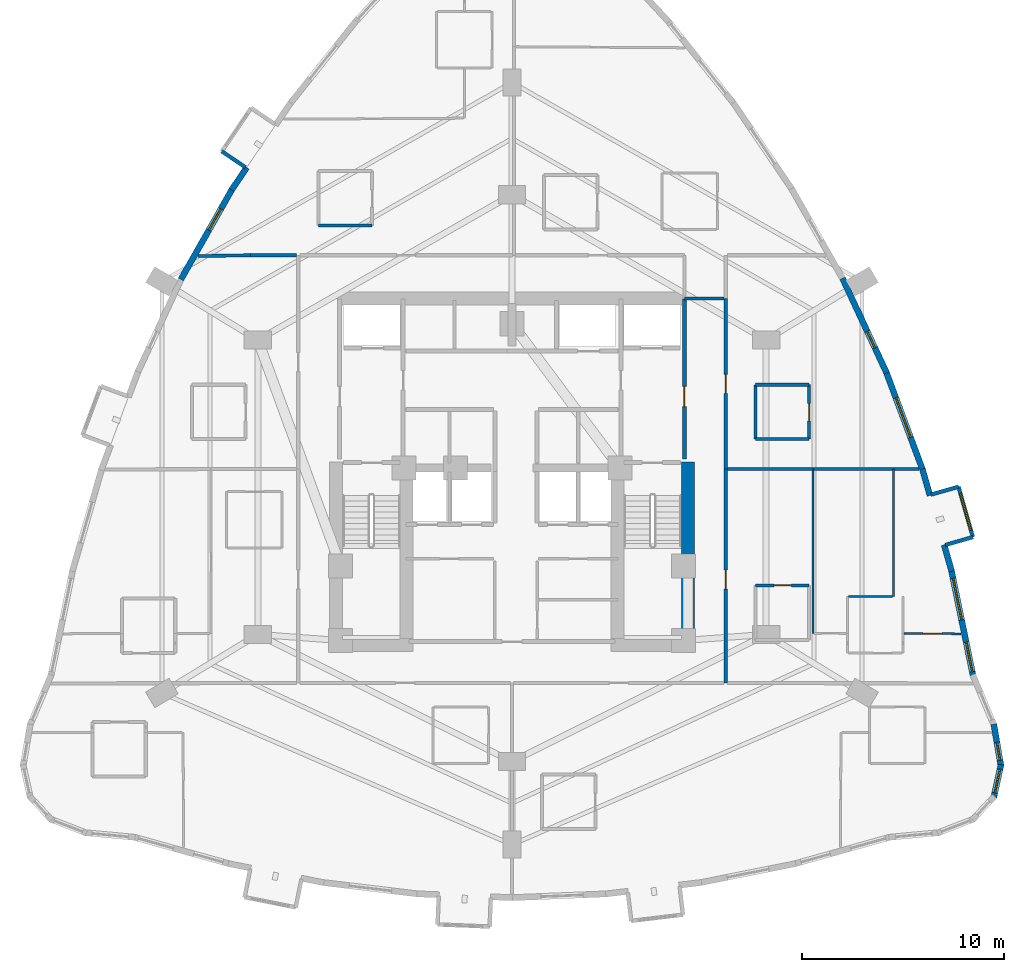
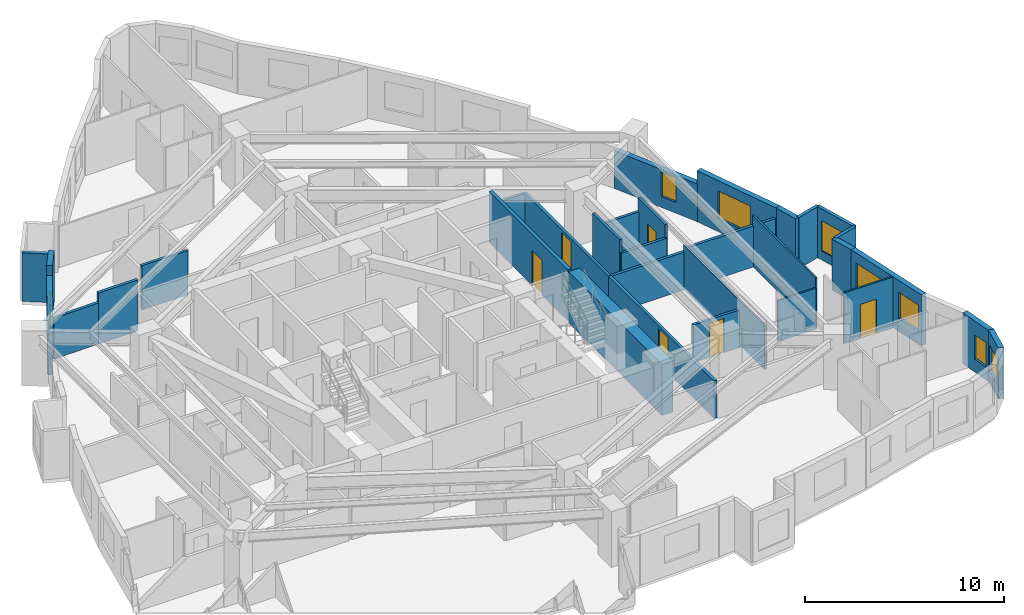
# One storey, part 10 of 13: 32 walls, 8 windows, 6 doors, 14 openings.
"""IFC4 building model written with IfcOpenShell, lengths in metres."""

from ifc_helpers import new_model, si_unit, direction, frame, frame_2d, origin, place, context, subcontext, project, spatial, rectangle, extrude, material, layer, layer_set, type_object, element, fill, save


model = new_model("IFC4")

# Units and contexts
model_context = context("Model", 3, precision=1e-05, world=origin(), true_north=direction((0.0, 1.0)))
body_context = subcontext(model_context, "Body", "Model", "MODEL_VIEW")
ifc_project = project(units=[si_unit("LENGTHUNIT", "METRE"), si_unit("AREAUNIT", "SQUARE_METRE"), si_unit("VOLUMEUNIT", "CUBIC_METRE"), si_unit("PLANEANGLEUNIT", "RADIAN"), si_unit("MASSUNIT", "GRAM", prefix="KILO")], contexts=[model_context])

# Site, building, storey
site_placement = place(None, origin())
site = spatial("IfcSite", under=ifc_project, at=site_placement, CompositionType="ELEMENT")
building_placement = place(site_placement, origin())
building = spatial("IfcBuilding", under=site, at=building_placement, Name="Miruveldt Soraemaru", CompositionType="ELEMENT")
storey_placement = place(building_placement, frame((0.0, 0.0, 76.800048828125)))
storey = spatial("IfcBuildingStorey", under=building, at=storey_placement, Name="L21", CompositionType="ELEMENT", Elevation=76.800048828125)

# Walls
ifc_material_1 = material(Name="White powder-coated aluminium EN AW-6060 T6", Category="aluminium")
ifc_layer_1 = layer(ifc_material_1, 0.18994140625, Name="White powder-coated aluminium EN AW-6060 T6", Category="aluminium")
ifc_layer_set_1 = layer_set([ifc_layer_1], Name="White powder-coated aluminium EN AW-6060 T6")
wall_type_1 = type_object("IfcWallType", Name="WALL-BAY-ALU190", PredefinedType="SOLIDWALL", material=ifc_layer_set_1)
wall_1_placement = place(storey_placement, frame((29.60595703125, 59.754638671875, 0.0), z_axis=(0.0, 0.0, 1.0), x_axis=(0.82794178844, -0.560814046681, 0.0)))
element("IfcWall", 1, at=wall_1_placement, inside=storey, type_object=wall_type_1, Name="L21 Bay Window Side Cheek 1R", PredefinedType="SOLIDWALL", context=body_context, shape_type="SweptSolid", body=[
    extrude(rectangle(XDim=1.4248046875, YDim=0.18994140625, at=frame_2d((0.71240234375, 0.0))), origin(), (0.0, 0.0, 1.0), 2.974853515625),
])
for number, where, z_axis, x_axis, name in (
    (2, (65.483642578125, 40.23486328125, 0.0), (0.0, 0.0, 1.0), (0.961439844578, 0.275015318223, 0.0), "L21 Bay Window Side Cheek 6L"),
    (3, (66.138671875, 43.12646484375, 0.0), (0.0, 0.0, 1.0), (-0.961439844578, -0.275015318223, 0.0), "L21 Bay Window Side Cheek 6R"),
):
    element("IfcWall", number, at=place(storey_placement, frame(where, z_axis=z_axis, x_axis=x_axis)), inside=storey, type_object=wall_type_1, Name=name, PredefinedType="SOLIDWALL", context=body_context, shape_type="SweptSolid", body=[
        extrude(rectangle(XDim=1.4248046875, YDim=0.18994140625, at=frame_2d((0.71240234375, 0.0))), origin(), (0.0, 0.0, 1.0), 3.125),
    ])

# Wall, opening, window
wall_2_placement = place(storey_placement, frame((66.853515625, 40.626708984375, 0.0), z_axis=(0.0, 0.0, 1.0), x_axis=(-0.274944358644, 0.961460139397, 0.0)))
wall_2 = element("IfcWall", 4, at=wall_2_placement, inside=storey, type_object=wall_type_1, Name="L21 Bay Window Front Frame 6", PredefinedType="SOLIDWALL", context=body_context, shape_type="SweptSolid", body=[
    extrude(rectangle(XDim=2.599853515625, YDim=0.18994140625, at=frame_2d((1.2998046875, 0.0))), origin(), (0.0, 0.0, 1.0), 3.125),
])
opening_1_placement = place(wall_2_placement, frame((0.35009765625, 0.0, 0.550048828125)))
opening_1 = element("IfcOpeningElement", 5, at=opening_1_placement, cuts=wall_2, Name="Opening WN-6", PredefinedType="OPENING", context=body_context, shape_type="SweptSolid", body=[
    extrude(rectangle(XDim=1.89990234375, YDim=1.85009765625, at=frame_2d((0.949951171875, 0.925048828125))), frame((0.0, 0.10498046875, 0.0), z_axis=(0.0, -1.0, 0.0), x_axis=(1.0, 0.0, 0.0)), (0.0, 0.0, 1.0), 0.2099609375),
])
ifc_material_2 = material(Name="Triple low-e insulated glazing", Category="glass")
window_type_1 = type_object("IfcWindowType", Name="WIN-BAYW-1900x1850", PartitioningType="SINGLE_PANEL", PredefinedType="WINDOW", material=ifc_material_2)
window_1_placement = place(opening_1_placement, origin())
window_1 = element("IfcWindow", 6, at=window_1_placement, inside=storey, type_object=window_type_1, Name="L21 Projecting Bay Window 6", OverallHeight=1.85009765625, OverallWidth=1.89990234375, PartitioningType="SINGLE_PANEL", PredefinedType="WINDOW", context=body_context, shape_type="SweptSolid", body=[
    extrude(rectangle(XDim=1.89990234375, YDim=1.85009765625, at=frame_2d((0.949951171875, 0.925048828125))), frame((0.0, 0.030029296875, 0.0), z_axis=(0.0, -1.0, 0.0), x_axis=(1.0, 0.0, 0.0)), (0.0, 0.0, 1.0), 0.06005859375),
])
fill(opening_1, window_1)

# Walls
ifc_material_3 = material(Name="Concrete C80/95 (80 MPa)", Category="concrete")
ifc_layer_2 = layer(ifc_material_3, 0.64990234375, Name="Concrete C80/95 (80 MPa)", Category="concrete")
ifc_layer_set_2 = layer_set([ifc_layer_2], Name="Concrete C80/95 (80 MPa)")
wall_type_2 = type_object("IfcWallType", Name="WALL-CW-650", PredefinedType="SHEAR", material=ifc_layer_set_2)
wall_3_placement = place(storey_placement, frame((52.72509765625, 34.949951171875, 0.0), z_axis=(0.0, 0.0, 1.0), x_axis=(0.0, 1.0, 0.0)))
element("IfcWall", 7, at=wall_3_placement, inside=storey, type_object=wall_type_2, Name="L21 Central Core Shear Wall E1", PredefinedType="SHEAR", context=body_context, shape_type="SweptSolid", body=[
    extrude(rectangle(XDim=9.400146484375, YDim=0.64990234375, at=frame_2d((4.7001953125, 0.0))), origin(), (0.0, 0.0, 1.0), 3.125),
])
ifc_material_4 = material(Name="Precast concrete C45/55 (45 MPa)", Category="concrete")
ifc_layer_3 = layer(ifc_material_4, 0.300048828125, Name="Precast concrete C45/55 (45 MPa)", Category="concrete")
ifc_layer_set_3 = layer_set([ifc_layer_3], Name="Precast concrete C45/55 (45 MPa)")
wall_type_3 = type_object("IfcWallType", Name="WALL-EXT-PC300", PredefinedType="SOLIDWALL", material=ifc_layer_set_3)
wall_4_placement = place(storey_placement, frame((30.847900390625, 58.949462890625, 0.0), z_axis=(0.0, 0.0, 1.0), x_axis=(-0.56075525003, -0.827981611852, 0.0)))
element("IfcWall", 8, at=wall_4_placement, inside=storey, type_object=wall_type_3, Name="L21 Precast Pier Wall 9B", PredefinedType="SOLIDWALL", context=body_context, shape_type="SweptSolid", body=[
    extrude(rectangle(XDim=1.336669921875, YDim=0.300048828125, at=frame_2d((0.66845703125, 0.0))), origin(), (0.0, 0.0, 1.0), 3.125),
])

# Wall, opening, window
wall_5_placement = place(storey_placement, frame((30.13525390625, 57.902099609375, 0.0), z_axis=(0.0, 0.0, 1.0), x_axis=(-0.493385870501, -0.869810544193, 0.0)))
wall_5 = element("IfcWall", 9, at=wall_5_placement, inside=storey, type_object=wall_type_3, Name="L21 Precast Concrete Facade Wall 10", PredefinedType="SOLIDWALL", context=body_context, shape_type="SweptSolid", body=[
    extrude(rectangle(XDim=5.180908203125, YDim=0.300048828125, at=frame_2d((2.59033203125, 0.0))), origin(), (0.0, 0.0, 1.0), 2.512939453125),
])
opening_2_placement = place(wall_5_placement, frame((1.155029296875, 0.0, 0.780029296875)))
opening_2 = element("IfcOpeningElement", 10, at=opening_2_placement, cuts=wall_5, Name="Opening WN-4", PredefinedType="OPENING", context=body_context, shape_type="SweptSolid", body=[
    extrude(rectangle(XDim=1.199951171875, YDim=1.550048828125, at=frame_2d((0.60009765625, 0.77490234375))), frame((0.0, 0.16015625, 0.0), z_axis=(0.0, -1.0, 0.0), x_axis=(1.0, 0.0, 0.0)), (0.0, 0.0, 1.0), 0.320068359375),
])
window_type_2 = type_object("IfcWindowType", Name="WIN-PUNCH-1200x1550", PartitioningType="SINGLE_PANEL", PredefinedType="WINDOW", material=ifc_material_2)
window_2_placement = place(opening_2_placement, origin())
window_2 = element("IfcWindow", 11, at=window_2_placement, inside=storey, type_object=window_type_2, Name="L21 Punched Triple-Glazed Window 10.1", OverallHeight=1.550048828125, OverallWidth=1.199951171875, PartitioningType="SINGLE_PANEL", PredefinedType="WINDOW", context=body_context, shape_type="SweptSolid", body=[
    extrude(rectangle(XDim=1.199951171875, YDim=1.550048828125, at=frame_2d((0.60009765625, 0.77490234375))), frame((0.0, 0.030029296875, 0.0), z_axis=(0.0, -1.0, 0.0), x_axis=(1.0, 0.0, 0.0)), (0.0, 0.0, 1.0), 0.06005859375),
])
fill(opening_2, window_2)

wall_6_placement = place(storey_placement, frame((67.88525390625, 27.7158203125, 0.0), z_axis=(0.0, 0.0, 1.0), x_axis=(0.215768638569, 0.976444516913, 0.0)))
wall_6 = element("IfcWall", 12, at=wall_6_placement, inside=storey, type_object=wall_type_3, Name="L21 Precast Concrete Facade Wall 32", PredefinedType="SOLIDWALL", context=body_context, shape_type="SweptSolid", body=[
    extrude(rectangle(XDim=1.6689453125, YDim=0.300048828125, at=frame_2d((0.83447265625, 0.0))), origin(), (0.0, 0.0, 1.0), 3.125),
])
opening_3_placement = place(wall_6_placement, frame((0.235107421875, 0.0, 0.780029296875)))
opening_3 = element("IfcOpeningElement", 13, at=opening_3_placement, cuts=wall_6, Name="Opening WN-4", PredefinedType="OPENING", context=body_context, shape_type="SweptSolid", body=[
    extrude(rectangle(XDim=1.199951171875, YDim=1.550048828125, at=frame_2d((0.60009765625, 0.77490234375))), frame((0.0, 0.16015625, 0.0), z_axis=(0.0, -1.0, 0.0), x_axis=(1.0, 0.0, 0.0)), (0.0, 0.0, 1.0), 0.320068359375),
])
window_3_placement = place(opening_3_placement, origin())
window_3 = element("IfcWindow", 14, at=window_3_placement, inside=storey, type_object=window_type_2, Name="L21 Punched Triple-Glazed Window 32.1", OverallHeight=1.550048828125, OverallWidth=1.199951171875, PartitioningType="SINGLE_PANEL", PredefinedType="WINDOW", context=body_context, shape_type="SweptSolid", body=[
    extrude(rectangle(XDim=1.199951171875, YDim=1.550048828125, at=frame_2d((0.60009765625, 0.77490234375))), frame((0.0, 0.030029296875, 0.0), z_axis=(0.0, -1.0, 0.0), x_axis=(1.0, 0.0, 0.0)), (0.0, 0.0, 1.0), 0.06005859375),
])
fill(opening_3, window_3)

wall_7_placement = place(storey_placement, frame((68.24365234375, 29.276611328125, 0.0), z_axis=(0.0, 0.0, 1.0), x_axis=(-0.169320859901, 0.98556098056, 0.0)))
wall_7 = element("IfcWall", 15, at=wall_7_placement, inside=storey, type_object=wall_type_3, Name="L21 Precast Concrete Facade Wall 33", PredefinedType="SOLIDWALL", context=body_context, shape_type="SweptSolid", body=[
    extrude(rectangle(XDim=2.106689453125, YDim=0.300048828125, at=frame_2d((1.05322265625, 0.0))), origin(), (0.0, 0.0, 1.0), 3.125),
])
opening_4_placement = place(wall_7_placement, frame((0.285888671875, 0.0, 0.780029296875)))
opening_4 = element("IfcOpeningElement", 16, at=opening_4_placement, cuts=wall_7, Name="Opening WN-7", PredefinedType="OPENING", context=body_context, shape_type="SweptSolid", body=[
    extrude(rectangle(XDim=0.89990234375, YDim=1.5, at=frame_2d((0.449951171875, 0.75))), frame((0.0, 0.16015625, 0.0), z_axis=(0.0, -1.0, 0.0), x_axis=(1.0, 0.0, 0.0)), (0.0, 0.0, 1.0), 0.320068359375),
])
window_type_3 = type_object("IfcWindowType", Name="WIN-PUNCH-900x1500", PartitioningType="SINGLE_PANEL", PredefinedType="WINDOW", material=ifc_material_2)
window_4_placement = place(opening_4_placement, origin())
window_4 = element("IfcWindow", 17, at=window_4_placement, inside=storey, type_object=window_type_3, Name="L21 Punched Triple-Glazed Window 33.1", OverallHeight=1.5, OverallWidth=0.89990234375, PartitioningType="SINGLE_PANEL", PredefinedType="WINDOW", context=body_context, shape_type="SweptSolid", body=[
    extrude(rectangle(XDim=0.89990234375, YDim=1.5, at=frame_2d((0.449951171875, 0.75))), frame((0.0, 0.030029296875, 0.0), z_axis=(0.0, -1.0, 0.0), x_axis=(1.0, 0.0, 0.0)), (0.0, 0.0, 1.0), 0.06005859375),
])
fill(opening_4, window_4)

# Wall, openings, windows
wall_8_placement = place(storey_placement, frame((66.865234375, 33.737060546875, 0.0), z_axis=(0.0, 0.0, 1.0), x_axis=(-0.201547797841, 0.979478680312, 0.0)))
wall_8 = element("IfcWall", 18, at=wall_8_placement, inside=storey, type_object=wall_type_3, Name="L21 Precast Concrete Facade Wall 35", PredefinedType="SOLIDWALL", context=body_context, shape_type="SweptSolid", body=[
    extrude(rectangle(XDim=5.37353515625, YDim=0.300048828125, at=frame_2d((2.686767578125, 0.0))), origin(), (0.0, 0.0, 1.0), 3.125),
])
opening_5_placement = place(wall_8_placement, frame((0.217041015625, 0.0, 0.800048828125)))
opening_5 = element("IfcOpeningElement", 19, at=opening_5_placement, cuts=wall_8, Name="Opening WN-3", PredefinedType="OPENING", context=body_context, shape_type="SweptSolid", body=[
    extrude(rectangle(XDim=1.5, YDim=1.60009765625, at=frame_2d((0.75, 0.800048828125))), frame((0.0, 0.16015625, 0.0), z_axis=(0.0, -1.0, 0.0), x_axis=(1.0, 0.0, 0.0)), (0.0, 0.0, 1.0), 0.320068359375),
])
opening_6_placement = place(wall_8_placement, frame((2.843017578125, 0.0, 0.800048828125)))
opening_6 = element("IfcOpeningElement", 20, at=opening_6_placement, cuts=wall_8, Name="Opening WN-1", PredefinedType="OPENING", context=body_context, shape_type="SweptSolid", body=[
    extrude(rectangle(XDim=2.10009765625, YDim=1.699951171875, at=frame_2d((1.050048828125, 0.85009765625))), frame((0.0, 0.16015625, 0.0), z_axis=(0.0, -1.0, 0.0), x_axis=(1.0, 0.0, 0.0)), (0.0, 0.0, 1.0), 0.320068359375),
])
window_type_4 = type_object("IfcWindowType", Name="WIN-PUNCH-1500x1600", PartitioningType="SINGLE_PANEL", PredefinedType="WINDOW", material=ifc_material_2)
window_5_placement = place(opening_5_placement, origin())
window_5 = element("IfcWindow", 21, at=window_5_placement, inside=storey, type_object=window_type_4, Name="L21 Punched Triple-Glazed Window 35.1", OverallHeight=1.60009765625, OverallWidth=1.5, PartitioningType="SINGLE_PANEL", PredefinedType="WINDOW", context=body_context, shape_type="SweptSolid", body=[
    extrude(rectangle(XDim=1.5, YDim=1.60009765625, at=frame_2d((0.75, 0.800048828125))), frame((0.0, 0.030029296875, 0.0), z_axis=(0.0, -1.0, 0.0), x_axis=(1.0, 0.0, 0.0)), (0.0, 0.0, 1.0), 0.06005859375),
])
fill(opening_5, window_5)
window_type_5 = type_object("IfcWindowType", Name="WIN-PUNCH-2100x1700", PartitioningType="SINGLE_PANEL", PredefinedType="WINDOW", material=ifc_material_2)
window_6_placement = place(opening_6_placement, origin())
window_6 = element("IfcWindow", 22, at=window_6_placement, inside=storey, type_object=window_type_5, Name="L21 Punched Triple-Glazed Window 35.2", OverallHeight=1.699951171875, OverallWidth=2.10009765625, PartitioningType="SINGLE_PANEL", PredefinedType="WINDOW", context=body_context, shape_type="SweptSolid", body=[
    extrude(rectangle(XDim=2.10009765625, YDim=1.699951171875, at=frame_2d((1.050048828125, 0.85009765625))), frame((0.0, 0.030029296875, 0.0), z_axis=(0.0, -1.0, 0.0), x_axis=(1.0, 0.0, 0.0)), (0.0, 0.0, 1.0), 0.06005859375),
])
fill(opening_6, window_6)

# Walls
wall_9_placement = place(storey_placement, frame((65.798828125, 38.93212890625, 0.0), z_axis=(0.0, 0.0, 1.0), x_axis=(-0.27479178242, 0.961503757826, 0.0)))
element("IfcWall", 23, at=wall_9_placement, inside=storey, type_object=wall_type_3, Name="L21 Precast Pier Wall 36A", PredefinedType="SOLIDWALL", context=body_context, shape_type="SweptSolid", body=[
    extrude(rectangle(XDim=1.369140625, YDim=0.300048828125, at=frame_2d((0.6845703125, 0.0))), origin(), (0.0, 0.0, 1.0), 3.125),
])
wall_10_placement = place(storey_placement, frame((64.72412109375, 42.690673828125, 0.0), z_axis=(0.0, 0.0, 1.0), x_axis=(-0.275003771692, 0.961443147334, 0.0)))
element("IfcWall", 24, at=wall_10_placement, inside=storey, type_object=wall_type_3, Name="L21 Precast Pier Wall 36B", PredefinedType="SOLIDWALL", context=body_context, shape_type="SweptSolid", body=[
    extrude(rectangle(XDim=1.368896484375, YDim=0.300048828125, at=frame_2d((0.6845703125, 0.0))), origin(), (0.0, 0.0, 1.0), 3.125),
])

# Wall, opening, window
wall_11_placement = place(storey_placement, frame((64.369384765625, 43.9404296875, 0.0), z_axis=(0.0, 0.0, 1.0), x_axis=(-0.349023551545, 0.937113952765, 0.0)))
wall_11 = element("IfcWall", 25, at=wall_11_placement, inside=storey, type_object=wall_type_3, Name="L21 Precast Concrete Facade Wall 37", PredefinedType="SOLIDWALL", context=body_context, shape_type="SweptSolid", body=[
    extrude(rectangle(XDim=5.21337890625, YDim=0.300048828125, at=frame_2d((2.606689453125, 0.0))), origin(), (0.0, 0.0, 1.0), 3.125),
])
opening_7_placement = place(wall_11_placement, frame((1.739013671875, 0.0, 0.800048828125)))
opening_7 = element("IfcOpeningElement", 26, at=opening_7_placement, cuts=wall_11, Name="Opening WN-1", PredefinedType="OPENING", context=body_context, shape_type="SweptSolid", body=[
    extrude(rectangle(XDim=2.10009765625, YDim=1.699951171875, at=frame_2d((1.050048828125, 0.85009765625))), frame((0.0, 0.16015625, 0.0), z_axis=(0.0, -1.0, 0.0), x_axis=(1.0, 0.0, 0.0)), (0.0, 0.0, 1.0), 0.320068359375),
])
window_7_placement = place(opening_7_placement, origin())
window_7 = element("IfcWindow", 27, at=window_7_placement, inside=storey, type_object=window_type_5, Name="L21 Punched Triple-Glazed Window 37.1", OverallHeight=1.699951171875, OverallWidth=2.10009765625, PartitioningType="SINGLE_PANEL", PredefinedType="WINDOW", context=body_context, shape_type="SweptSolid", body=[
    extrude(rectangle(XDim=2.10009765625, YDim=1.699951171875, at=frame_2d((1.050048828125, 0.85009765625))), frame((0.0, 0.030029296875, 0.0), z_axis=(0.0, -1.0, 0.0), x_axis=(1.0, 0.0, 0.0)), (0.0, 0.0, 1.0), 0.06005859375),
])
fill(opening_7, window_7)

wall_12_placement = place(storey_placement, frame((62.57666015625, 48.761474609375, 0.0), z_axis=(0.0, 0.0, 1.0), x_axis=(-0.422273967053, 0.906468254684, 0.0)))
wall_12 = element("IfcWall", 28, at=wall_12_placement, inside=storey, type_object=wall_type_3, Name="L21 Precast Concrete Facade Wall 38", PredefinedType="SOLIDWALL", context=body_context, shape_type="SweptSolid", body=[
    extrude(rectangle(XDim=5.180908203125, YDim=0.300048828125, at=frame_2d((2.59033203125, 0.0))), origin(), (0.0, 0.0, 1.0), 2.31298828125),
])
opening_8_placement = place(wall_12_placement, frame((1.3798828125, 0.0, 0.653076171875)))
opening_8 = element("IfcOpeningElement", 29, at=opening_8_placement, cuts=wall_12, Name="Opening WN-7", PredefinedType="OPENING", context=body_context, shape_type="SweptSolid", body=[
    extrude(rectangle(XDim=0.89990234375, YDim=1.5, at=frame_2d((0.449951171875, 0.75))), frame((0.0, 0.16015625, 0.0), z_axis=(0.0, -1.0, 0.0), x_axis=(1.0, 0.0, 0.0)), (0.0, 0.0, 1.0), 0.320068359375),
])
window_8_placement = place(opening_8_placement, origin())
window_8 = element("IfcWindow", 30, at=window_8_placement, inside=storey, type_object=window_type_3, Name="L21 Punched Triple-Glazed Window 38.1", OverallHeight=1.5, OverallWidth=0.89990234375, PartitioningType="SINGLE_PANEL", PredefinedType="WINDOW", context=body_context, shape_type="SweptSolid", body=[
    extrude(rectangle(XDim=0.89990234375, YDim=1.5, at=frame_2d((0.449951171875, 0.75))), frame((0.0, 0.030029296875, 0.0), z_axis=(0.0, -1.0, 0.0), x_axis=(1.0, 0.0, 0.0)), (0.0, 0.0, 1.0), 0.06005859375),
])
fill(opening_8, window_8)

# Wall, opening, door
ifc_material_5 = material(Name="Gypsum plasterboard lining", Category="gypsum")
ifc_layer_4 = layer(ifc_material_5, 0.10009765625, Name="Gypsum plasterboard lining", Category="gypsum")
ifc_layer_set_4 = layer_set([ifc_layer_4], Name="Gypsum plasterboard lining")
wall_type_4 = type_object("IfcWallType", Name="WALL-INT-P100", PredefinedType="PARTITIONING", material=ifc_layer_set_4)
wall_13_placement = place(storey_placement, frame((66.26611328125, 35.8330078125, 0.0), z_axis=(0.0, 0.0, 1.0), x_axis=(-0.999981846253, 0.006025542673, 0.0)))
wall_13 = element("IfcWall", 31, at=wall_13_placement, inside=storey, type_object=wall_type_4, Name="L21 Partition Wall 69", PredefinedType="PARTITIONING", context=body_context, shape_type="SweptSolid", body=[
    extrude(rectangle(XDim=2.836181640625, YDim=0.10009765625, at=frame_2d((1.41796875, 0.0))), origin(), (0.0, 0.0, 1.0), 3.125),
])
opening_9_placement = place(wall_13_placement, frame((0.9580078125, 0.0, 0.0)))
opening_9 = element("IfcOpeningElement", 32, at=opening_9_placement, cuts=wall_13, Name="Opening D3A", PredefinedType="OPENING", context=body_context, shape_type="SweptSolid", body=[
    extrude(rectangle(XDim=0.919921875, YDim=2.10009765625, at=frame_2d((0.4599609375, 1.050048828125))), frame((0.0, 0.06005859375, 0.0), z_axis=(0.0, -1.0, 0.0), x_axis=(1.0, 0.0, 0.0)), (0.0, 0.0, 1.0), 0.1201171875),
])
ifc_material_6 = material(Name="Anodised aluminium EN AW-6063 T6", Category="aluminium")
door_type_1 = type_object("IfcDoorType", Name="DOOR-INT-920", OperationType="NOTDEFINED", PredefinedType="DOOR", material=ifc_material_6)
door_1_placement = place(opening_9_placement, origin())
door_1 = element("IfcDoor", 33, at=door_1_placement, inside=storey, type_object=door_type_1, Name="L21 Unit 2105 EXT Door", OperationType="SINGLE_SWING_LEFT", OverallHeight=2.10009765625, OverallWidth=0.919921875, PredefinedType="DOOR", context=body_context, shape_type="SweptSolid", body=[
    extrude(rectangle(XDim=0.919921875, YDim=2.10009765625, at=frame_2d((0.4599609375, 1.050048828125))), frame((0.0, 0.02490234375, 0.0), z_axis=(0.0, -1.0, 0.0), x_axis=(1.0, 0.0, 0.0)), (0.0, 0.0, 1.0), 0.050048828125),
])
fill(opening_9, door_1)

# Walls
wall_14_placement = place(storey_placement, frame((58.9150390625, 35.85009765625, 0.0), z_axis=(0.0, 0.0, 1.0), x_axis=(0.0, 1.0, 0.0)))
element("IfcWall", 34, at=wall_14_placement, inside=storey, type_object=wall_type_4, Name="L21 Partition Wall 109", PredefinedType="PARTITIONING", context=body_context, shape_type="SweptSolid", body=[
    extrude(rectangle(XDim=8.14990234375, YDim=0.10009765625, at=frame_2d((4.074951171875, 0.0))), origin(), (0.0, 0.0, 1.0), 2.712890625),
])
wall_15_placement = place(storey_placement, frame((62.9208984375, 37.679931640625, 0.0), z_axis=(0.0, 0.0, 1.0), x_axis=(0.0, 1.0, 0.0)))
element("IfcWall", 35, at=wall_15_placement, inside=storey, type_object=wall_type_4, Name="L21 Partition Wall 76", PredefinedType="PARTITIONING", context=body_context, shape_type="SweptSolid", body=[
    extrude(rectangle(XDim=6.320068359375, YDim=0.10009765625, at=frame_2d((3.16015625, 0.0))), origin(), (0.0, 0.0, 1.0), 3.125),
])
wall_16_placement = place(storey_placement, frame((62.87109375, 37.679931640625, 0.0), z_axis=(0.0, 0.0, 1.0), x_axis=(-1.0, 0.0, 0.0)))
element("IfcWall", 36, at=wall_16_placement, inside=storey, type_object=wall_type_4, Name="L21 Partition Wall 72", PredefinedType="PARTITIONING", context=body_context, shape_type="SweptSolid", body=[
    extrude(rectangle(XDim=2.191162109375, YDim=0.10009765625, at=frame_2d((1.095703125, 0.0))), origin(), (0.0, 0.0, 1.0), 2.512939453125),
])

# Wall, opening, door
ifc_layer_5 = layer(ifc_material_5, 0.14990234375, Name="Gypsum plasterboard lining", Category="gypsum")
ifc_layer_set_5 = layer_set([ifc_layer_5], Name="Gypsum plasterboard lining")
wall_type_5 = type_object("IfcWallType", Name="WALL-INT-PLUMB", PredefinedType="PLUMBINGWALL", material=ifc_layer_set_5)
wall_17_placement = place(storey_placement, frame((58.72998046875, 45.47998046875, 0.0), z_axis=(0.0, 0.0, 1.0), x_axis=(0.0, 1.0, 0.0)))
wall_17 = element("IfcWall", 37, at=wall_17_placement, inside=storey, type_object=wall_type_5, Name="L21 Partition Wall 78", PredefinedType="PLUMBINGWALL", context=body_context, shape_type="SweptSolid", body=[
    extrude(rectangle(XDim=2.699951171875, YDim=0.14990234375, at=frame_2d((1.35009765625, 0.0))), origin(), (0.0, 0.0, 1.0), 3.125),
])
opening_10_placement = place(wall_17_placement, frame((0.909912109375, 0.0, 0.0)))
opening_10 = element("IfcOpeningElement", 38, at=opening_10_placement, cuts=wall_17, Name="Opening FD3", PredefinedType="OPENING", context=body_context, shape_type="SweptSolid", body=[
    extrude(rectangle(XDim=0.85009765625, YDim=2.10009765625, at=frame_2d((0.425048828125, 1.050048828125))), frame((0.0, 0.0849609375, 0.0), z_axis=(0.0, -1.0, 0.0), x_axis=(1.0, 0.0, 0.0)), (0.0, 0.0, 1.0), 0.169921875),
])
door_type_2 = type_object("IfcDoorType", Name="DOOR-FD3-850", OperationType="NOTDEFINED", PredefinedType="DOOR", material=ifc_material_6)
door_2_placement = place(opening_10_placement, origin())
door_2 = element("IfcDoor", 39, at=door_2_placement, inside=storey, type_object=door_type_2, Name="L21 Unit CL06 BTH Door", OperationType="SINGLE_SWING_LEFT", OverallHeight=2.10009765625, OverallWidth=0.85009765625, PredefinedType="DOOR", context=body_context, shape_type="SweptSolid", body=[
    extrude(rectangle(XDim=0.85009765625, YDim=2.10009765625, at=frame_2d((0.425048828125, 1.050048828125))), frame((0.0, 0.02490234375, 0.0), z_axis=(0.0, -1.0, 0.0), x_axis=(1.0, 0.0, 0.0)), (0.0, 0.0, 1.0), 0.050048828125),
])
fill(opening_10, door_2)

wall_18_placement = place(storey_placement, frame((58.72998046875, 38.22998046875, 0.0), z_axis=(0.0, 0.0, 1.0), x_axis=(-1.0, 0.0, 0.0)))
wall_18 = element("IfcWall", 40, at=wall_18_placement, inside=storey, type_object=wall_type_5, Name="L21 Partition Wall 62", PredefinedType="PLUMBINGWALL", context=body_context, shape_type="SweptSolid", body=[
    extrude(rectangle(XDim=2.64990234375, YDim=0.14990234375, at=frame_2d((1.324951171875, 0.0))), origin(), (0.0, 0.0, 1.0), 2.31298828125),
])
opening_11_placement = place(wall_18_placement, frame((0.885009765625, 0.0, 0.0)))
opening_11 = element("IfcOpeningElement", 41, at=opening_11_placement, cuts=wall_18, Name="Opening FD3", PredefinedType="OPENING", context=body_context, shape_type="SweptSolid", body=[
    extrude(rectangle(XDim=0.85009765625, YDim=2.10009765625, at=frame_2d((0.425048828125, 1.050048828125))), frame((0.0, 0.0849609375, 0.0), z_axis=(0.0, -1.0, 0.0), x_axis=(1.0, 0.0, 0.0)), (0.0, 0.0, 1.0), 0.169921875),
])
door_3_placement = place(opening_11_placement, origin())
door_3 = element("IfcDoor", 42, at=door_3_placement, inside=storey, type_object=door_type_2, Name="L21 Unit 2105 BTH Door", OperationType="SINGLE_SWING_RIGHT", OverallHeight=2.10009765625, OverallWidth=0.85009765625, PredefinedType="DOOR", context=body_context, shape_type="SweptSolid", body=[
    extrude(rectangle(XDim=0.85009765625, YDim=2.10009765625, at=frame_2d((0.425048828125, 1.050048828125))), frame((0.0, 0.02490234375, 0.0), z_axis=(0.0, -1.0, 0.0), x_axis=(1.0, 0.0, 0.0)), (0.0, 0.0, 1.0), 0.050048828125),
])
fill(opening_11, door_3)

# Walls
wall_19_placement = place(storey_placement, frame((56.080078125, 48.179931640625, 0.0), z_axis=(0.0, 0.0, 1.0), x_axis=(0.0, -1.0, 0.0)))
element("IfcWall", 43, at=wall_19_placement, inside=storey, type_object=wall_type_5, Name="L21 Partition Wall 80", PredefinedType="PLUMBINGWALL", context=body_context, shape_type="SweptSolid", body=[
    extrude(rectangle(XDim=2.699951171875, YDim=0.14990234375, at=frame_2d((1.35009765625, 0.0))), origin(), (0.0, 0.0, 1.0), 3.125),
])
wall_20_placement = place(storey_placement, frame((34.4140625, 56.080078125, 0.0), z_axis=(0.0, 0.0, 1.0), x_axis=(1.0, 0.0, 0.0)))
element("IfcWall", 44, at=wall_20_placement, inside=storey, type_object=wall_type_5, Name="L21 Partition Wall 14", PredefinedType="PLUMBINGWALL", context=body_context, shape_type="SweptSolid", body=[
    extrude(rectangle(XDim=2.64990234375, YDim=0.14990234375, at=frame_2d((1.324951171875, 0.0))), origin(), (0.0, 0.0, 1.0), 2.712890625),
])
for number, where, z_axis, x_axis, name in (
    (45, (58.72998046875, 48.179931640625, 0.0), (0.0, 0.0, 1.0), (-1.0, 0.0, 0.0), "L21 Partition Wall 79"),
    (46, (56.080078125, 45.47998046875, 0.0), (0.0, 0.0, 1.0), (1.0, 0.0, 0.0), "L21 Partition Wall 81"),
):
    element("IfcWall", number, at=place(storey_placement, frame(where, z_axis=z_axis, x_axis=x_axis)), inside=storey, type_object=wall_type_5, Name=name, PredefinedType="PLUMBINGWALL", context=body_context, shape_type="SweptSolid", body=[
        extrude(rectangle(XDim=2.64990234375, YDim=0.14990234375, at=frame_2d((1.324951171875, 0.0))), origin(), (0.0, 0.0, 1.0), 2.31298828125),
    ])

# Wall, opening, door
ifc_material_7 = material(Name="Concrete C40/50 (40 MPa)", Category="concrete")
ifc_layer_6 = layer(ifc_material_7, 0.159912109375, Name="Concrete C40/50 (40 MPa)", Category="concrete")
ifc_layer_set_6 = layer_set([ifc_layer_6], Name="Concrete C40/50 (40 MPa)")
wall_type_6 = type_object("IfcWallType", Name="WALL-INT-RC160", PredefinedType="SOLIDWALL", material=ifc_layer_set_6)
wall_21_placement = place(storey_placement, frame((54.60009765625, 33.39990234375, 0.0), z_axis=(0.0, 0.0, 1.0), x_axis=(0.0, 1.0, 0.0)))
wall_21 = element("IfcWall", 47, at=wall_21_placement, inside=storey, type_object=wall_type_6, Name="L21 Partition Wall 7", PredefinedType="SOLIDWALL", context=body_context, shape_type="SweptSolid", body=[
    extrude(rectangle(XDim=10.60009765625, YDim=0.159912109375, at=frame_2d((5.300048828125, 0.0))), origin(), (0.0, 0.0, 1.0), 2.31298828125),
])
opening_12_placement = place(wall_21_placement, frame((4.64501953125, 0.0, 0.0)))
opening_12 = element("IfcOpeningElement", 48, at=opening_12_placement, cuts=wall_21, Name="Opening FD2", PredefinedType="OPENING", context=body_context, shape_type="SweptSolid", body=[
    extrude(rectangle(XDim=0.949951171875, YDim=2.14990234375, at=frame_2d((0.47509765625, 1.074951171875))), frame((0.0, 0.08984375, 0.0), z_axis=(0.0, -1.0, 0.0), x_axis=(1.0, 0.0, 0.0)), (0.0, 0.0, 1.0), 0.179931640625),
])
door_type_3 = type_object("IfcDoorType", Name="DOOR-FD2-950", OperationType="NOTDEFINED", PredefinedType="DOOR", material=ifc_material_6)
door_4_placement = place(opening_12_placement, origin())
door_4 = element("IfcDoor", 49, at=door_4_placement, inside=storey, type_object=door_type_3, Name="L21 Unit 2105 Entrance Fire Door", OperationType="SINGLE_SWING_LEFT", OverallHeight=2.14990234375, OverallWidth=0.949951171875, PredefinedType="DOOR", context=body_context, shape_type="SweptSolid", body=[
    extrude(rectangle(XDim=0.949951171875, YDim=2.14990234375, at=frame_2d((0.47509765625, 1.074951171875))), frame((0.0, 0.02490234375, 0.0), z_axis=(0.0, -1.0, 0.0), x_axis=(1.0, 0.0, 0.0)), (0.0, 0.0, 1.0), 0.050048828125),
])
fill(opening_12, door_4)

wall_22_placement = place(storey_placement, frame((54.60009765625, 44.0, 0.0), z_axis=(0.0, 0.0, 1.0), x_axis=(0.0, 1.0, 0.0)))
wall_22 = element("IfcWall", 50, at=wall_22_placement, inside=storey, type_object=wall_type_6, Name="L21 Partition Wall 8", PredefinedType="SOLIDWALL", context=body_context, shape_type="SweptSolid", body=[
    extrude(rectangle(XDim=8.449951171875, YDim=0.159912109375, at=frame_2d((4.22509765625, 0.0))), origin(), (0.0, 0.0, 1.0), 2.31298828125),
])
opening_13_placement = place(wall_22_placement, frame((3.75, 0.0, 0.0)))
opening_13 = element("IfcOpeningElement", 51, at=opening_13_placement, cuts=wall_22, Name="Opening FD2", PredefinedType="OPENING", context=body_context, shape_type="SweptSolid", body=[
    extrude(rectangle(XDim=0.949951171875, YDim=2.14990234375, at=frame_2d((0.47509765625, 1.074951171875))), frame((0.0, 0.08984375, 0.0), z_axis=(0.0, -1.0, 0.0), x_axis=(1.0, 0.0, 0.0)), (0.0, 0.0, 1.0), 0.179931640625),
])
door_5_placement = place(opening_13_placement, origin())
door_5 = element("IfcDoor", 52, at=door_5_placement, inside=storey, type_object=door_type_3, Name="L21 Unit CL06 Entrance Fire Door", OperationType="SINGLE_SWING_RIGHT", OverallHeight=2.14990234375, OverallWidth=0.949951171875, PredefinedType="DOOR", context=body_context, shape_type="SweptSolid", body=[
    extrude(rectangle(XDim=0.949951171875, YDim=2.14990234375, at=frame_2d((0.47509765625, 1.074951171875))), frame((0.0, 0.02490234375, 0.0), z_axis=(0.0, -1.0, 0.0), x_axis=(1.0, 0.0, 0.0)), (0.0, 0.0, 1.0), 0.050048828125),
])
fill(opening_13, door_5)

# Walls
wall_23_placement = place(storey_placement, frame((64.1708984375, 44.0, 0.0), z_axis=(0.0, 0.0, 1.0), x_axis=(-1.0, 0.0, 0.0)))
element("IfcWall", 53, at=wall_23_placement, inside=storey, type_object=wall_type_6, Name="L21 Partition Wall 77", PredefinedType="SOLIDWALL", context=body_context, shape_type="SweptSolid", body=[
    extrude(rectangle(XDim=5.265869140625, YDim=0.159912109375, at=frame_2d((2.6328125, 0.0))), origin(), (0.0, 0.0, 1.0), 2.512939453125),
])
wall_24_placement = place(storey_placement, frame((58.925048828125, 44.0, 0.0), z_axis=(0.0, 0.0, 1.0), x_axis=(-1.0, 0.0, 0.0)))
element("IfcWall", 54, at=wall_24_placement, inside=storey, type_object=wall_type_6, Name="L21 Partition Wall 70", PredefinedType="SOLIDWALL", context=body_context, shape_type="SweptSolid", body=[
    extrude(rectangle(XDim=4.2451171875, YDim=0.159912109375, at=frame_2d((2.12255859375, 0.0))), origin(), (0.0, 0.0, 1.0), 2.31298828125),
])
wall_25_placement = place(storey_placement, frame((28.428955078125, 54.55908203125, 0.0), z_axis=(0.0, 0.0, 1.0), x_axis=(0.999876069275, 0.015743128363, 0.0)))
element("IfcWall", 55, at=wall_25_placement, inside=storey, type_object=wall_type_6, Name="L21 Partition Wall 24", PredefinedType="SOLIDWALL", context=body_context, shape_type="SweptSolid", body=[
    extrude(rectangle(XDim=2.605224609375, YDim=0.159912109375, at=frame_2d((1.302734375, 0.0))), origin(), (0.0, 0.0, 1.0), 2.512939453125),
])
wall_26_placement = place(storey_placement, frame((31.033935546875, 54.60009765625, 0.0), z_axis=(0.0, 0.0, 1.0), x_axis=(1.0, 0.0, 0.0)))
element("IfcWall", 56, at=wall_26_placement, inside=storey, type_object=wall_type_6, Name="L21 Partition Wall 25", PredefinedType="SOLIDWALL", context=body_context, shape_type="SweptSolid", body=[
    extrude(rectangle(XDim=2.281982421875, YDim=0.159912109375, at=frame_2d((1.14111328125, 0.0))), origin(), (0.0, 0.0, 1.0), 3.125),
])
wall_27_placement = place(storey_placement, frame((54.51708984375, 52.449951171875, 0.0), z_axis=(0.0, 0.0, 1.0), x_axis=(-1.0, 0.0, 0.0)))
element("IfcWall", 57, at=wall_27_placement, inside=storey, type_object=wall_type_6, Name="L21 Partition Wall 2", PredefinedType="SOLIDWALL", context=body_context, shape_type="SweptSolid", body=[
    extrude(rectangle(XDim=1.967041015625, YDim=0.159912109375, at=frame_2d((0.9833984375, 0.0))), origin(), (0.0, 0.0, 1.0), 2.31298828125),
])

# Wall, opening, door
ifc_layer_7 = layer(ifc_material_7, 0.199951171875, Name="Concrete C40/50 (40 MPa)", Category="concrete")
ifc_layer_set_7 = layer_set([ifc_layer_7], Name="Concrete C40/50 (40 MPa)")
wall_type_7 = type_object("IfcWallType", Name="WALL-INT-RC200", PredefinedType="SOLIDWALL", material=ifc_layer_set_7)
wall_28_placement = place(storey_placement, frame((52.550048828125, 44.5, 0.0), z_axis=(0.0, 0.0, 1.0), x_axis=(0.0, 1.0, 0.0)))
wall_28 = element("IfcWall", 58, at=wall_28_placement, inside=storey, type_object=wall_type_7, Name="L21 Core Compartment Wall FFE-OUT", PredefinedType="SOLIDWALL", context=body_context, shape_type="SweptSolid", body=[
    extrude(rectangle(XDim=7.919921875, YDim=0.199951171875, at=frame_2d((3.9599609375, 0.0))), origin(), (0.0, 0.0, 1.0), 3.125),
])
opening_14_placement = place(wall_28_placement, frame((2.60009765625, 0.0, 0.0)))
opening_14 = element("IfcOpeningElement", 59, at=opening_14_placement, cuts=wall_28, Name="Opening FD1", PredefinedType="OPENING", context=body_context, shape_type="SweptSolid", body=[
    extrude(rectangle(XDim=1.0, YDim=2.14990234375, at=frame_2d((0.5, 1.074951171875))), frame((0.0, 0.10986328125, 0.0), z_axis=(0.0, -1.0, 0.0), x_axis=(1.0, 0.0, 0.0)), (0.0, 0.0, 1.0), 0.219970703125),
])
door_type_4 = type_object("IfcDoorType", Name="DOOR-FD1-1000", OperationType="NOTDEFINED", PredefinedType="DOOR", material=ifc_material_6)
door_6_placement = place(opening_14_placement, frame((1.0, 0.0, 0.0), z_axis=(0.0, 0.0, 1.0), x_axis=(-1.0, 0.0, 0.0)))
door_6 = element("IfcDoor", 60, at=door_6_placement, inside=storey, type_object=door_type_4, Name="L21 East Firefighting Lobby Exit Door", OperationType="SINGLE_SWING_RIGHT", OverallHeight=2.14990234375, OverallWidth=1.0, PredefinedType="DOOR", context=body_context, shape_type="SweptSolid", body=[
    extrude(rectangle(XDim=1.0, YDim=2.14990234375, at=frame_2d((0.5, 1.074951171875))), frame((0.0, 0.02490234375, 0.0), z_axis=(0.0, -1.0, 0.0), x_axis=(1.0, 0.0, 0.0)), (0.0, 0.0, 1.0), 0.050048828125),
])
fill(opening_14, door_6)

save(model, "model.ifc")
